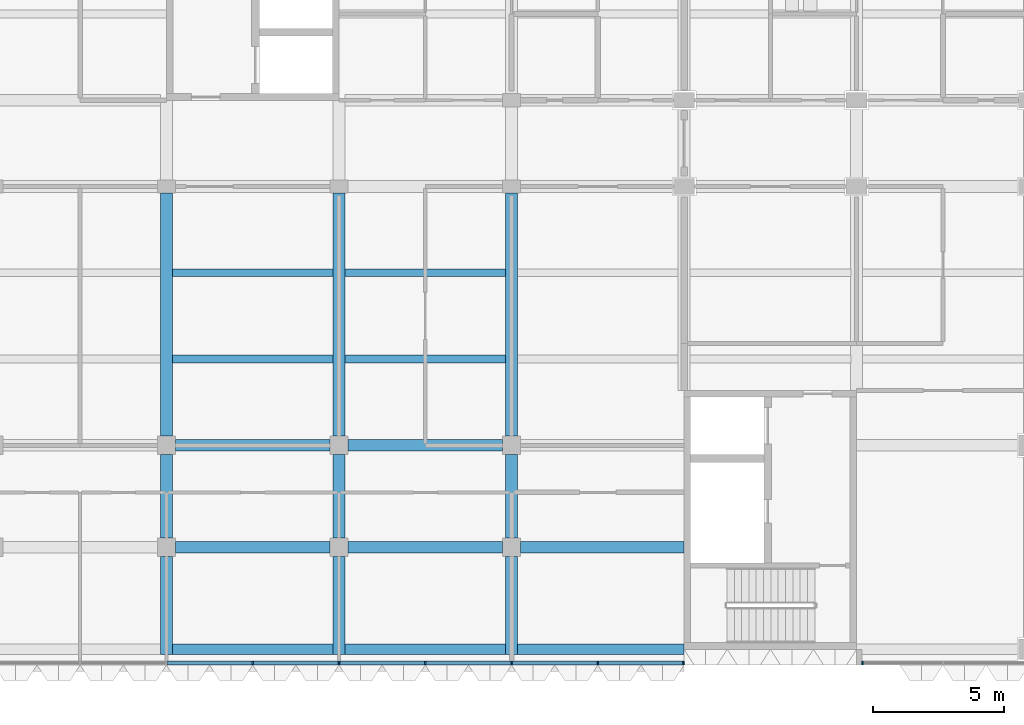
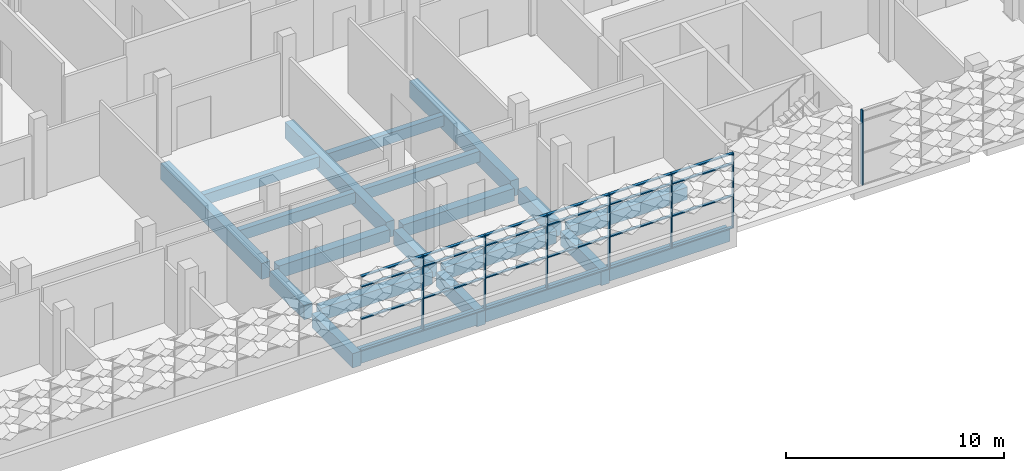
# One storey, part 6 of 85: 31 members, 21 beams, 2 elements without a shape of their own.
"""IFC4 building model written with IfcOpenShell, lengths in metres."""

from ifc_helpers import new_model, si_unit, direction, frame, origin, origin_2d, place, context, subcontext, project, spatial, rectangle, extrude, material, material_profile, profile_set, type_object, element, aggregate, save


model = new_model("IFC4")

# Units and contexts
model_context = context("Model", 3, precision=1e-05, world=origin(), true_north=direction((0.0, 1.0)))
body_context = subcontext(model_context, "Body", "Model", "MODEL_VIEW")
ifc_project = project(units=[si_unit("LENGTHUNIT", "METRE"), si_unit("AREAUNIT", "SQUARE_METRE"), si_unit("VOLUMEUNIT", "CUBIC_METRE"), si_unit("PLANEANGLEUNIT", "RADIAN"), si_unit("MASSUNIT", "GRAM", prefix="KILO")], contexts=[model_context])

# Site, building, storey
site_placement = place(None, origin())
site = spatial("IfcSite", under=ifc_project, at=site_placement, CompositionType="ELEMENT")
building_placement = place(site_placement, origin())
building = spatial("IfcBuilding", under=site, at=building_placement, Name="Lantern Court Research Institute", CompositionType="ELEMENT")
storey_placement = place(building_placement, frame((0.0, 0.0, 18.89990234375)))
storey = spatial("IfcBuildingStorey", under=building, at=storey_placement, Name="L04", CompositionType="ELEMENT", Elevation=18.89990234375)

# Curtain wall, members
ifc_material_1 = material(Name="Aluminium alloy 6063-T6", Category="aluminium")
curtain_wall_type_1 = type_object("IfcCurtainWallType", Name="Curtain wall 53400 x 4200 x 150 aluminium frame", PredefinedType="NOTDEFINED", material=ifc_material_1)
curtain_wall_1_placement = place(storey_placement, origin())
curtain_wall_1 = element("IfcCurtainWall", 1, at=curtain_wall_1_placement, inside=storey, type_object=curtain_wall_type_1, Name="Curtain wall CW063", PredefinedType="NOTDEFINED")
ifc_material_2 = material(Name="Aluminium alloy 6063-T6", Category="aluminium")
ifc_material_profile_1 = material_profile(ifc_material_2, rectangle(XDim=0.14990234375, YDim=0.06005859375, at=origin_2d()), Name="Mullion 150 x 60")
ifc_profile_set_1 = profile_set([ifc_material_profile_1], Name="Aluminium alloy 6063-T6")
member_type_1 = type_object("IfcMemberType", Name="Mullion 150 x 60 aluminium", PredefinedType="MULLION", material=ifc_profile_set_1)
member_1_placement = place(storey_placement, frame((36.300048828125, -8.324951171875, 0.0), z_axis=(0.0, 0.0, 1.0), x_axis=(0.0, -1.0, 0.0)))
member_1 = element("IfcMember", 2, at=member_1_placement, type_object=member_type_1, Name="CW063 mullion 12", PredefinedType="MULLION", context=body_context, shape_type="SweptSolid", body=[
    extrude(rectangle(XDim=0.14990234375, YDim=0.06005859375, at=origin_2d()), origin(), (0.0, 0.0, 1.0), 4.2001953125),
])
member_2_placement = place(storey_placement, frame((39.60009765625, -8.324951171875, 0.0), z_axis=(0.0, 0.0, 1.0), x_axis=(0.0, -1.0, 0.0)))
member_2 = element("IfcMember", 3, at=member_2_placement, type_object=member_type_1, Name="CW063 mullion 13", PredefinedType="MULLION", context=body_context, shape_type="SweptSolid", body=[
    extrude(rectangle(XDim=0.14990234375, YDim=0.06005859375, at=origin_2d()), origin(), (0.0, 0.0, 1.0), 4.2001953125),
])
member_3_placement = place(storey_placement, frame((42.89990234375, -8.324951171875, 0.0), z_axis=(0.0, 0.0, 1.0), x_axis=(0.0, -1.0, 0.0)))
member_3 = element("IfcMember", 4, at=member_3_placement, type_object=member_type_1, Name="CW063 mullion 14", PredefinedType="MULLION", context=body_context, shape_type="SweptSolid", body=[
    extrude(rectangle(XDim=0.14990234375, YDim=0.06005859375, at=origin_2d()), origin(), (0.0, 0.0, 1.0), 4.2001953125),
])
member_4_placement = place(storey_placement, frame((46.199951171875, -8.324951171875, 0.0), z_axis=(0.0, 0.0, 1.0), x_axis=(0.0, -1.0, 0.0)))
member_4 = element("IfcMember", 5, at=member_4_placement, type_object=member_type_1, Name="CW063 mullion 15", PredefinedType="MULLION", context=body_context, shape_type="SweptSolid", body=[
    extrude(rectangle(XDim=0.14990234375, YDim=0.06005859375, at=origin_2d()), origin(), (0.0, 0.0, 1.0), 4.2001953125),
])
member_5_placement = place(storey_placement, frame((49.5, -8.324951171875, 0.0), z_axis=(0.0, 0.0, 1.0), x_axis=(0.0, -1.0, 0.0)))
member_5 = element("IfcMember", 6, at=member_5_placement, type_object=member_type_1, Name="CW063 mullion 16", PredefinedType="MULLION", context=body_context, shape_type="SweptSolid", body=[
    extrude(rectangle(XDim=0.14990234375, YDim=0.06005859375, at=origin_2d()), origin(), (0.0, 0.0, 1.0), 4.2001953125),
])
member_6_placement = place(storey_placement, frame((52.77001953125, -8.324951171875, 0.0), z_axis=(0.0, 0.0, 1.0), x_axis=(0.0, -1.0, 0.0)))
member_6 = element("IfcMember", 7, at=member_6_placement, type_object=member_type_1, Name="CW063 mullion 17", PredefinedType="MULLION", context=body_context, shape_type="SweptSolid", body=[
    extrude(rectangle(XDim=0.14990234375, YDim=0.06005859375, at=origin_2d()), origin(), (0.0, 0.0, 1.0), 4.2001953125),
])

# Curtain wall, member
ifc_material_3 = material(Name="Aluminium alloy 6063-T6", Category="aluminium")
curtain_wall_type_2 = type_object("IfcCurtainWallType", Name="Curtain wall 20200 x 4200 x 150 aluminium frame", PredefinedType="NOTDEFINED", material=ifc_material_3)
curtain_wall_2_placement = place(storey_placement, origin())
curtain_wall_2 = element("IfcCurtainWall", 8, at=curtain_wall_2_placement, inside=storey, type_object=curtain_wall_type_2, Name="Curtain wall CW067", PredefinedType="NOTDEFINED")
member_7_placement = place(storey_placement, frame((59.6298828125, -8.324951171875, 0.0), z_axis=(0.0, 0.0, 1.0), x_axis=(0.0, -1.0, 0.0)))
member_7 = element("IfcMember", 9, at=member_7_placement, type_object=member_type_1, Name="CW067 mullion 1", PredefinedType="MULLION", context=body_context, shape_type="SweptSolid", body=[
    extrude(rectangle(XDim=0.14990234375, YDim=0.06005859375, at=origin_2d()), origin(), (0.0, 0.0, 1.0), 4.2001953125),
])
aggregate(curtain_wall_2, [member_7])

# Beams
ifc_material_4 = material(Name="Concrete C40/50", Category="concrete")
ifc_material_profile_2 = material_profile(ifc_material_4, rectangle(XDim=0.449951171875, YDim=0.699951171875, at=origin_2d()), Name="RC beam 450 x 700")
ifc_profile_set_2 = profile_set([ifc_material_profile_2], Name="Concrete C40/50")
beam_type_1 = type_object("IfcBeamType", Name="RC beam 450 x 700", PredefinedType="BEAM", material=ifc_profile_set_2)
beam_1_placement = place(storey_placement, frame((33.35009765625, -3.89990234375, -0.64990234375), z_axis=(1.0, 0.0, 0.0), x_axis=(0.0, 1.0, 0.0)))
element("IfcBeam", 10, at=beam_1_placement, inside=storey, type_object=beam_type_1, Name="Beam L04 grid Y/6-7", PredefinedType="BEAM", context=body_context, shape_type="SweptSolid", body=[
    extrude(rectangle(XDim=0.449951171875, YDim=0.699951171875, at=origin_2d()), origin(), (0.0, 0.0, 1.0), 5.89990234375),
])
beam_2_placement = place(storey_placement, frame((39.949951171875, -3.89990234375, -0.64990234375), z_axis=(1.0, 0.0, 0.0), x_axis=(0.0, 1.0, 0.0)))
element("IfcBeam", 11, at=beam_2_placement, inside=storey, type_object=beam_type_1, Name="Beam L04 grid Y/7-8", PredefinedType="BEAM", context=body_context, shape_type="SweptSolid", body=[
    extrude(rectangle(XDim=0.449951171875, YDim=0.699951171875, at=origin_2d()), origin(), (0.0, 0.0, 1.0), 5.900146484375),
])
beam_3_placement = place(storey_placement, frame((46.550048828125, -3.89990234375, -0.64990234375), z_axis=(1.0, 0.0, 0.0), x_axis=(0.0, 1.0, 0.0)))
element("IfcBeam", 12, at=beam_3_placement, inside=storey, type_object=beam_type_1, Name="Beam L04 grid Y/8-9", PredefinedType="BEAM", context=body_context, shape_type="SweptSolid", body=[
    extrude(rectangle(XDim=0.449951171875, YDim=0.699951171875, at=origin_2d()), origin(), (0.0, 0.0, 1.0), 6.25),
])
beam_4_placement = place(storey_placement, frame((33.35009765625, 0.0, -0.64990234375), z_axis=(1.0, 0.0, 0.0), x_axis=(0.0, 1.0, 0.0)))
element("IfcBeam", 13, at=beam_4_placement, inside=storey, type_object=beam_type_1, Name="Beam L04 grid A/6-7", PredefinedType="BEAM", context=body_context, shape_type="SweptSolid", body=[
    extrude(rectangle(XDim=0.449951171875, YDim=0.699951171875, at=origin_2d()), origin(), (0.0, 0.0, 1.0), 5.89990234375),
])
beam_5_placement = place(storey_placement, frame((39.949951171875, 0.0, -0.64990234375), z_axis=(1.0, 0.0, 0.0), x_axis=(0.0, 1.0, 0.0)))
element("IfcBeam", 14, at=beam_5_placement, inside=storey, type_object=beam_type_1, Name="Beam L04 grid A/7-8", PredefinedType="BEAM", context=body_context, shape_type="SweptSolid", body=[
    extrude(rectangle(XDim=0.449951171875, YDim=0.699951171875, at=origin_2d()), origin(), (0.0, 0.0, 1.0), 5.900146484375),
])
ifc_material_5 = material(Name="Concrete C40/50", Category="concrete")
ifc_material_profile_3 = material_profile(ifc_material_5, rectangle(XDim=0.449951171875, YDim=0.800048828125, at=origin_2d()), Name="RC beam 450 x 800")
ifc_profile_set_3 = profile_set([ifc_material_profile_3], Name="Concrete C40/50")
beam_type_2 = type_object("IfcBeamType", Name="RC cantilever beam 450 x 800", PredefinedType="BEAM", material=ifc_profile_set_3)
for number, where, z_axis, x_axis, name in (
    (15, (33.0, -4.25, -0.699951171875), (0.0, -1.0, 0.0), (1.0, 0.0, 0.0), "Cantilever beam L04 grid 6/Y-tip"),
    (16, (39.60009765625, -4.25, -0.699951171875), (0.0, -1.0, 0.0), (1.0, 0.0, 0.0), "Cantilever beam L04 grid 7/Y-tip"),
    (17, (46.199951171875, -4.25, -0.699951171875), (0.0, -1.0, 0.0), (1.0, 0.0, 0.0), "Cantilever beam L04 grid 8/Y-tip"),
):
    element("IfcBeam", number, at=place(storey_placement, frame(where, z_axis=z_axis, x_axis=x_axis)), inside=storey, type_object=beam_type_2, Name=name, PredefinedType="BEAM", context=body_context, shape_type="SweptSolid", body=[
        extrude(rectangle(XDim=0.449951171875, YDim=0.800048828125, at=origin_2d()), origin(), (0.0, 0.0, 1.0), 3.75),
    ])
ifc_material_6 = material(Name="Concrete C40/50", Category="concrete")
ifc_material_profile_4 = material_profile(ifc_material_6, rectangle(XDim=0.39990234375, YDim=0.699951171875, at=origin_2d()), Name="RC beam 400 x 700")
ifc_profile_set_4 = profile_set([ifc_material_profile_4], Name="Concrete C40/50")
beam_type_3 = type_object("IfcBeamType", Name="RC edge beam 400 x 700", PredefinedType="BEAM", material=ifc_profile_set_4)
beam_6_placement = place(storey_placement, frame((33.22509765625, -7.800048828125, -0.64990234375), z_axis=(1.0, 0.0, 0.0), x_axis=(0.0, 1.0, 0.0)))
element("IfcBeam", 18, at=beam_6_placement, inside=storey, type_object=beam_type_3, Name="Edge beam L04 grid tip/6-7", PredefinedType="BEAM", context=body_context, shape_type="SweptSolid", body=[
    extrude(rectangle(XDim=0.39990234375, YDim=0.699951171875, at=origin_2d()), origin(), (0.0, 0.0, 1.0), 6.14990234375),
])
beam_7_placement = place(storey_placement, frame((39.824951171875, -7.800048828125, -0.64990234375), z_axis=(1.0, 0.0, 0.0), x_axis=(0.0, 1.0, 0.0)))
element("IfcBeam", 19, at=beam_7_placement, inside=storey, type_object=beam_type_3, Name="Edge beam L04 grid tip/7-8", PredefinedType="BEAM", context=body_context, shape_type="SweptSolid", body=[
    extrude(rectangle(XDim=0.39990234375, YDim=0.699951171875, at=origin_2d()), origin(), (0.0, 0.0, 1.0), 6.150146484375),
])
beam_8_placement = place(storey_placement, frame((46.425048828125, -7.800048828125, -0.64990234375), z_axis=(1.0, 0.0, 0.0), x_axis=(0.0, 1.0, 0.0)))
element("IfcBeam", 20, at=beam_8_placement, inside=storey, type_object=beam_type_3, Name="Edge beam L04 grid tip/8-9", PredefinedType="BEAM", context=body_context, shape_type="SweptSolid", body=[
    extrude(rectangle(XDim=0.39990234375, YDim=0.699951171875, at=origin_2d()), origin(), (0.0, 0.0, 1.0), 6.375),
])
ifc_material_7 = material(Name="Concrete C40/50", Category="concrete")
ifc_material_profile_5 = material_profile(ifc_material_7, rectangle(XDim=0.449951171875, YDim=0.800048828125, at=origin_2d()), Name="RC beam 450 x 800")
ifc_profile_set_5 = profile_set([ifc_material_profile_5], Name="Concrete C40/50")
beam_type_4 = type_object("IfcBeamType", Name="RC girder 450 x 800", PredefinedType="BEAM", material=ifc_profile_set_5)
for number, where, z_axis, x_axis, name in (
    (21, (33.0, -3.550048828125, -0.699951171875), (0.0, 1.0, 0.0), (-1.0, 0.0, 0.0), "Girder L04 grid 6/Y-A"),
    (22, (39.60009765625, -3.550048828125, -0.699951171875), (0.0, 1.0, 0.0), (-1.0, 0.0, 0.0), "Girder L04 grid 7/Y-A"),
    (23, (46.199951171875, -3.550048828125, -0.699951171875), (0.0, 1.0, 0.0), (-1.0, 0.0, 0.0), "Girder L04 grid 8/Y-A"),
):
    element("IfcBeam", number, at=place(storey_placement, frame(where, z_axis=z_axis, x_axis=x_axis)), inside=storey, type_object=beam_type_4, Name=name, PredefinedType="BEAM", context=body_context, shape_type="SweptSolid", body=[
        extrude(rectangle(XDim=0.449951171875, YDim=0.800048828125, at=origin_2d()), origin(), (0.0, 0.0, 1.0), 3.199951171875),
    ])
ifc_material_8 = material(Name="Concrete C40/50", Category="concrete")
ifc_material_profile_6 = material_profile(ifc_material_8, rectangle(XDim=0.449951171875, YDim=0.89990234375, at=origin_2d()), Name="RC beam 450 x 900")
ifc_profile_set_6 = profile_set([ifc_material_profile_6], Name="Concrete C40/50")
beam_type_5 = type_object("IfcBeamType", Name="RC girder 450 x 900", PredefinedType="BEAM", material=ifc_profile_set_6)
for number, where, z_axis, x_axis, name in (
    (24, (33.0, 0.35009765625, -0.75), (0.0, 1.0, 0.0), (-1.0, 0.0, 0.0), "Girder L04 grid 6/A-B"),
    (25, (39.60009765625, 0.35009765625, -0.75), (0.0, 1.0, 0.0), (-1.0, 0.0, 0.0), "Girder L04 grid 7/A-B"),
    (26, (46.199951171875, 0.35009765625, -0.75), (0.0, 1.0, 0.0), (-1.0, 0.0, 0.0), "Girder L04 grid 8/A-B"),
):
    element("IfcBeam", number, at=place(storey_placement, frame(where, z_axis=z_axis, x_axis=x_axis)), inside=storey, type_object=beam_type_5, Name=name, PredefinedType="BEAM", context=body_context, shape_type="SweptSolid", body=[
        extrude(rectangle(XDim=0.449951171875, YDim=0.89990234375, at=origin_2d()), origin(), (0.0, 0.0, 1.0), 9.2998046875),
    ])
ifc_material_9 = material(Name="Concrete C40/50", Category="concrete")
ifc_material_profile_7 = material_profile(ifc_material_9, rectangle(XDim=0.300048828125, YDim=0.60009765625, at=origin_2d()), Name="RC beam 300 x 600")
ifc_profile_set_7 = profile_set([ifc_material_profile_7], Name="Concrete C40/50")
beam_type_6 = type_object("IfcBeamType", Name="RC secondary beam 300 x 600", PredefinedType="BEAM", material=ifc_profile_set_7)
beam_9_placement = place(storey_placement, frame((33.22509765625, 3.300048828125, -0.599853515625), z_axis=(1.0, 0.0, 0.0), x_axis=(0.0, 1.0, 0.0)))
element("IfcBeam", 27, at=beam_9_placement, inside=storey, type_object=beam_type_6, Name="Secondary beam L04 grids 6-7 / A-B, line 1", PredefinedType="BEAM", context=body_context, shape_type="SweptSolid", body=[
    extrude(rectangle(XDim=0.300048828125, YDim=0.60009765625, at=origin_2d()), origin(), (0.0, 0.0, 1.0), 6.14990234375),
])
beam_10_placement = place(storey_placement, frame((39.824951171875, 3.300048828125, -0.599853515625), z_axis=(1.0, 0.0, 0.0), x_axis=(0.0, 1.0, 0.0)))
element("IfcBeam", 28, at=beam_10_placement, inside=storey, type_object=beam_type_6, Name="Secondary beam L04 grids 7-8 / A-B, line 1", PredefinedType="BEAM", context=body_context, shape_type="SweptSolid", body=[
    extrude(rectangle(XDim=0.300048828125, YDim=0.60009765625, at=origin_2d()), origin(), (0.0, 0.0, 1.0), 6.150146484375),
])
beam_11_placement = place(storey_placement, frame((33.22509765625, 6.60009765625, -0.599853515625), z_axis=(1.0, 0.0, 0.0), x_axis=(0.0, 1.0, 0.0)))
element("IfcBeam", 29, at=beam_11_placement, inside=storey, type_object=beam_type_6, Name="Secondary beam L04 grids 6-7 / A-B, line 2", PredefinedType="BEAM", context=body_context, shape_type="SweptSolid", body=[
    extrude(rectangle(XDim=0.300048828125, YDim=0.60009765625, at=origin_2d()), origin(), (0.0, 0.0, 1.0), 6.14990234375),
])
beam_12_placement = place(storey_placement, frame((39.824951171875, 6.60009765625, -0.599853515625), z_axis=(1.0, 0.0, 0.0), x_axis=(0.0, 1.0, 0.0)))
element("IfcBeam", 30, at=beam_12_placement, inside=storey, type_object=beam_type_6, Name="Secondary beam L04 grids 7-8 / A-B, line 2", PredefinedType="BEAM", context=body_context, shape_type="SweptSolid", body=[
    extrude(rectangle(XDim=0.300048828125, YDim=0.60009765625, at=origin_2d()), origin(), (0.0, 0.0, 1.0), 6.150146484375),
])

# Member
ifc_material_10 = material(Name="Aluminium alloy 6063-T6", Category="aluminium")
ifc_material_profile_8 = material_profile(ifc_material_10, rectangle(XDim=0.14990234375, YDim=0.06005859375, at=origin_2d()), Name="Transom 150 x 60")
ifc_profile_set_8 = profile_set([ifc_material_profile_8], Name="Aluminium alloy 6063-T6")
member_type_2 = type_object("IfcMemberType", Name="Transom 150 x 60 aluminium", PredefinedType="USERDEFINED", material=ifc_profile_set_8)
member_8_placement = place(storey_placement, frame((36.27001953125, -8.324951171875, 0.030029296875), z_axis=(-1.0, 0.0, 0.0), x_axis=(0.0, -1.0, 0.0)))
member_8 = element("IfcMember", 31, at=member_8_placement, type_object=member_type_2, Name="CW063 transom 11.1", ObjectType="TRANSOM", PredefinedType="USERDEFINED", context=body_context, shape_type="SweptSolid", body=[
    extrude(rectangle(XDim=0.14990234375, YDim=0.06005859375, at=origin_2d()), origin(), (0.0, 0.0, 1.0), 3.239990234375),
])

member_9_placement = place(storey_placement, frame((36.27001953125, -8.324951171875, 1.800048828125), z_axis=(-1.0, 0.0, 0.0), x_axis=(0.0, -1.0, 0.0)))
member_9 = element("IfcMember", 32, at=member_9_placement, type_object=member_type_2, Name="CW063 transom 11.2", ObjectType="TRANSOM", PredefinedType="USERDEFINED", context=body_context, shape_type="SweptSolid", body=[
    extrude(rectangle(XDim=0.14990234375, YDim=0.06005859375, at=origin_2d()), origin(), (0.0, 0.0, 1.0), 3.239990234375),
])

member_10_placement = place(storey_placement, frame((36.27001953125, -8.324951171875, 3.60009765625), z_axis=(-1.0, 0.0, 0.0), x_axis=(0.0, -1.0, 0.0)))
member_10 = element("IfcMember", 33, at=member_10_placement, type_object=member_type_2, Name="CW063 transom 11.3", ObjectType="TRANSOM", PredefinedType="USERDEFINED", context=body_context, shape_type="SweptSolid", body=[
    extrude(rectangle(XDim=0.14990234375, YDim=0.06005859375, at=origin_2d()), origin(), (0.0, 0.0, 1.0), 3.239990234375),
])

member_11_placement = place(storey_placement, frame((36.27001953125, -8.324951171875, 4.170166015625), z_axis=(-1.0, 0.0, 0.0), x_axis=(0.0, -1.0, 0.0)))
member_11 = element("IfcMember", 34, at=member_11_placement, type_object=member_type_2, Name="CW063 transom 11.4", ObjectType="TRANSOM", PredefinedType="USERDEFINED", context=body_context, shape_type="SweptSolid", body=[
    extrude(rectangle(XDim=0.14990234375, YDim=0.06005859375, at=origin_2d()), origin(), (0.0, 0.0, 1.0), 3.239990234375),
])

member_12_placement = place(storey_placement, frame((39.570068359375, -8.324951171875, 0.030029296875), z_axis=(-1.0, 0.0, 0.0), x_axis=(0.0, -1.0, 0.0)))
member_12 = element("IfcMember", 35, at=member_12_placement, type_object=member_type_2, Name="CW063 transom 12.1", ObjectType="TRANSOM", PredefinedType="USERDEFINED", context=body_context, shape_type="SweptSolid", body=[
    extrude(rectangle(XDim=0.14990234375, YDim=0.06005859375, at=origin_2d()), origin(), (0.0, 0.0, 1.0), 3.239990234375),
])

member_13_placement = place(storey_placement, frame((39.570068359375, -8.324951171875, 1.800048828125), z_axis=(-1.0, 0.0, 0.0), x_axis=(0.0, -1.0, 0.0)))
member_13 = element("IfcMember", 36, at=member_13_placement, type_object=member_type_2, Name="CW063 transom 12.2", ObjectType="TRANSOM", PredefinedType="USERDEFINED", context=body_context, shape_type="SweptSolid", body=[
    extrude(rectangle(XDim=0.14990234375, YDim=0.06005859375, at=origin_2d()), origin(), (0.0, 0.0, 1.0), 3.239990234375),
])

member_14_placement = place(storey_placement, frame((39.570068359375, -8.324951171875, 3.60009765625), z_axis=(-1.0, 0.0, 0.0), x_axis=(0.0, -1.0, 0.0)))
member_14 = element("IfcMember", 37, at=member_14_placement, type_object=member_type_2, Name="CW063 transom 12.3", ObjectType="TRANSOM", PredefinedType="USERDEFINED", context=body_context, shape_type="SweptSolid", body=[
    extrude(rectangle(XDim=0.14990234375, YDim=0.06005859375, at=origin_2d()), origin(), (0.0, 0.0, 1.0), 3.239990234375),
])

member_15_placement = place(storey_placement, frame((39.570068359375, -8.324951171875, 4.170166015625), z_axis=(-1.0, 0.0, 0.0), x_axis=(0.0, -1.0, 0.0)))
member_15 = element("IfcMember", 38, at=member_15_placement, type_object=member_type_2, Name="CW063 transom 12.4", ObjectType="TRANSOM", PredefinedType="USERDEFINED", context=body_context, shape_type="SweptSolid", body=[
    extrude(rectangle(XDim=0.14990234375, YDim=0.06005859375, at=origin_2d()), origin(), (0.0, 0.0, 1.0), 3.239990234375),
])

member_16_placement = place(storey_placement, frame((42.8701171875, -8.324951171875, 0.030029296875), z_axis=(-1.0, 0.0, 0.0), x_axis=(0.0, -1.0, 0.0)))
member_16 = element("IfcMember", 39, at=member_16_placement, type_object=member_type_2, Name="CW063 transom 13.1", ObjectType="TRANSOM", PredefinedType="USERDEFINED", context=body_context, shape_type="SweptSolid", body=[
    extrude(rectangle(XDim=0.14990234375, YDim=0.06005859375, at=origin_2d()), origin(), (0.0, 0.0, 1.0), 3.240234375),
])

member_17_placement = place(storey_placement, frame((42.8701171875, -8.324951171875, 1.800048828125), z_axis=(-1.0, 0.0, 0.0), x_axis=(0.0, -1.0, 0.0)))
member_17 = element("IfcMember", 40, at=member_17_placement, type_object=member_type_2, Name="CW063 transom 13.2", ObjectType="TRANSOM", PredefinedType="USERDEFINED", context=body_context, shape_type="SweptSolid", body=[
    extrude(rectangle(XDim=0.14990234375, YDim=0.06005859375, at=origin_2d()), origin(), (0.0, 0.0, 1.0), 3.240234375),
])

member_18_placement = place(storey_placement, frame((42.8701171875, -8.324951171875, 3.60009765625), z_axis=(-1.0, 0.0, 0.0), x_axis=(0.0, -1.0, 0.0)))
member_18 = element("IfcMember", 41, at=member_18_placement, type_object=member_type_2, Name="CW063 transom 13.3", ObjectType="TRANSOM", PredefinedType="USERDEFINED", context=body_context, shape_type="SweptSolid", body=[
    extrude(rectangle(XDim=0.14990234375, YDim=0.06005859375, at=origin_2d()), origin(), (0.0, 0.0, 1.0), 3.240234375),
])

member_19_placement = place(storey_placement, frame((42.8701171875, -8.324951171875, 4.170166015625), z_axis=(-1.0, 0.0, 0.0), x_axis=(0.0, -1.0, 0.0)))
member_19 = element("IfcMember", 42, at=member_19_placement, type_object=member_type_2, Name="CW063 transom 13.4", ObjectType="TRANSOM", PredefinedType="USERDEFINED", context=body_context, shape_type="SweptSolid", body=[
    extrude(rectangle(XDim=0.14990234375, YDim=0.06005859375, at=origin_2d()), origin(), (0.0, 0.0, 1.0), 3.240234375),
])

member_20_placement = place(storey_placement, frame((46.169921875, -8.324951171875, 0.030029296875), z_axis=(-1.0, 0.0, 0.0), x_axis=(0.0, -1.0, 0.0)))
member_20 = element("IfcMember", 43, at=member_20_placement, type_object=member_type_2, Name="CW063 transom 14.1", ObjectType="TRANSOM", PredefinedType="USERDEFINED", context=body_context, shape_type="SweptSolid", body=[
    extrude(rectangle(XDim=0.14990234375, YDim=0.06005859375, at=origin_2d()), origin(), (0.0, 0.0, 1.0), 3.239990234375),
])

member_21_placement = place(storey_placement, frame((46.169921875, -8.324951171875, 1.800048828125), z_axis=(-1.0, 0.0, 0.0), x_axis=(0.0, -1.0, 0.0)))
member_21 = element("IfcMember", 44, at=member_21_placement, type_object=member_type_2, Name="CW063 transom 14.2", ObjectType="TRANSOM", PredefinedType="USERDEFINED", context=body_context, shape_type="SweptSolid", body=[
    extrude(rectangle(XDim=0.14990234375, YDim=0.06005859375, at=origin_2d()), origin(), (0.0, 0.0, 1.0), 3.239990234375),
])

member_22_placement = place(storey_placement, frame((46.169921875, -8.324951171875, 3.60009765625), z_axis=(-1.0, 0.0, 0.0), x_axis=(0.0, -1.0, 0.0)))
member_22 = element("IfcMember", 45, at=member_22_placement, type_object=member_type_2, Name="CW063 transom 14.3", ObjectType="TRANSOM", PredefinedType="USERDEFINED", context=body_context, shape_type="SweptSolid", body=[
    extrude(rectangle(XDim=0.14990234375, YDim=0.06005859375, at=origin_2d()), origin(), (0.0, 0.0, 1.0), 3.239990234375),
])

member_23_placement = place(storey_placement, frame((46.169921875, -8.324951171875, 4.170166015625), z_axis=(-1.0, 0.0, 0.0), x_axis=(0.0, -1.0, 0.0)))
member_23 = element("IfcMember", 46, at=member_23_placement, type_object=member_type_2, Name="CW063 transom 14.4", ObjectType="TRANSOM", PredefinedType="USERDEFINED", context=body_context, shape_type="SweptSolid", body=[
    extrude(rectangle(XDim=0.14990234375, YDim=0.06005859375, at=origin_2d()), origin(), (0.0, 0.0, 1.0), 3.239990234375),
])

member_24_placement = place(storey_placement, frame((49.469970703125, -8.324951171875, 0.030029296875), z_axis=(-1.0, 0.0, 0.0), x_axis=(0.0, -1.0, 0.0)))
member_24 = element("IfcMember", 47, at=member_24_placement, type_object=member_type_2, Name="CW063 transom 15.1", ObjectType="TRANSOM", PredefinedType="USERDEFINED", context=body_context, shape_type="SweptSolid", body=[
    extrude(rectangle(XDim=0.14990234375, YDim=0.06005859375, at=origin_2d()), origin(), (0.0, 0.0, 1.0), 3.239990234375),
])

member_25_placement = place(storey_placement, frame((49.469970703125, -8.324951171875, 1.800048828125), z_axis=(-1.0, 0.0, 0.0), x_axis=(0.0, -1.0, 0.0)))
member_25 = element("IfcMember", 48, at=member_25_placement, type_object=member_type_2, Name="CW063 transom 15.2", ObjectType="TRANSOM", PredefinedType="USERDEFINED", context=body_context, shape_type="SweptSolid", body=[
    extrude(rectangle(XDim=0.14990234375, YDim=0.06005859375, at=origin_2d()), origin(), (0.0, 0.0, 1.0), 3.239990234375),
])

member_26_placement = place(storey_placement, frame((49.469970703125, -8.324951171875, 3.60009765625), z_axis=(-1.0, 0.0, 0.0), x_axis=(0.0, -1.0, 0.0)))
member_26 = element("IfcMember", 49, at=member_26_placement, type_object=member_type_2, Name="CW063 transom 15.3", ObjectType="TRANSOM", PredefinedType="USERDEFINED", context=body_context, shape_type="SweptSolid", body=[
    extrude(rectangle(XDim=0.14990234375, YDim=0.06005859375, at=origin_2d()), origin(), (0.0, 0.0, 1.0), 3.239990234375),
])

member_27_placement = place(storey_placement, frame((49.469970703125, -8.324951171875, 4.170166015625), z_axis=(-1.0, 0.0, 0.0), x_axis=(0.0, -1.0, 0.0)))
member_27 = element("IfcMember", 50, at=member_27_placement, type_object=member_type_2, Name="CW063 transom 15.4", ObjectType="TRANSOM", PredefinedType="USERDEFINED", context=body_context, shape_type="SweptSolid", body=[
    extrude(rectangle(XDim=0.14990234375, YDim=0.06005859375, at=origin_2d()), origin(), (0.0, 0.0, 1.0), 3.239990234375),
])

member_28_placement = place(storey_placement, frame((52.739990234375, -8.324951171875, 0.030029296875), z_axis=(-1.0, 0.0, 0.0), x_axis=(0.0, -1.0, 0.0)))
member_28 = element("IfcMember", 51, at=member_28_placement, type_object=member_type_2, Name="CW063 transom 16.1", ObjectType="TRANSOM", PredefinedType="USERDEFINED", context=body_context, shape_type="SweptSolid", body=[
    extrude(rectangle(XDim=0.14990234375, YDim=0.06005859375, at=origin_2d()), origin(), (0.0, 0.0, 1.0), 3.2099609375),
])

member_29_placement = place(storey_placement, frame((52.739990234375, -8.324951171875, 1.800048828125), z_axis=(-1.0, 0.0, 0.0), x_axis=(0.0, -1.0, 0.0)))
member_29 = element("IfcMember", 52, at=member_29_placement, type_object=member_type_2, Name="CW063 transom 16.2", ObjectType="TRANSOM", PredefinedType="USERDEFINED", context=body_context, shape_type="SweptSolid", body=[
    extrude(rectangle(XDim=0.14990234375, YDim=0.06005859375, at=origin_2d()), origin(), (0.0, 0.0, 1.0), 3.2099609375),
])

member_30_placement = place(storey_placement, frame((52.739990234375, -8.324951171875, 3.60009765625), z_axis=(-1.0, 0.0, 0.0), x_axis=(0.0, -1.0, 0.0)))
member_30 = element("IfcMember", 53, at=member_30_placement, type_object=member_type_2, Name="CW063 transom 16.3", ObjectType="TRANSOM", PredefinedType="USERDEFINED", context=body_context, shape_type="SweptSolid", body=[
    extrude(rectangle(XDim=0.14990234375, YDim=0.06005859375, at=origin_2d()), origin(), (0.0, 0.0, 1.0), 3.2099609375),
])

member_31_placement = place(storey_placement, frame((52.739990234375, -8.324951171875, 4.170166015625), z_axis=(-1.0, 0.0, 0.0), x_axis=(0.0, -1.0, 0.0)))
member_31 = element("IfcMember", 54, at=member_31_placement, type_object=member_type_2, Name="CW063 transom 16.4", ObjectType="TRANSOM", PredefinedType="USERDEFINED", context=body_context, shape_type="SweptSolid", body=[
    extrude(rectangle(XDim=0.14990234375, YDim=0.06005859375, at=origin_2d()), origin(), (0.0, 0.0, 1.0), 3.2099609375),
])

aggregate(curtain_wall_1, [member_1, member_2, member_3, member_4, member_5, member_6, member_8, member_9, member_10, member_11, member_12, member_13, member_14, member_15, member_16, member_17, member_18, member_19, member_20, member_21, member_22, member_23, member_24, member_25, member_26, member_27, member_28, member_29, member_30, member_31])

save(model, "model.ifc")
